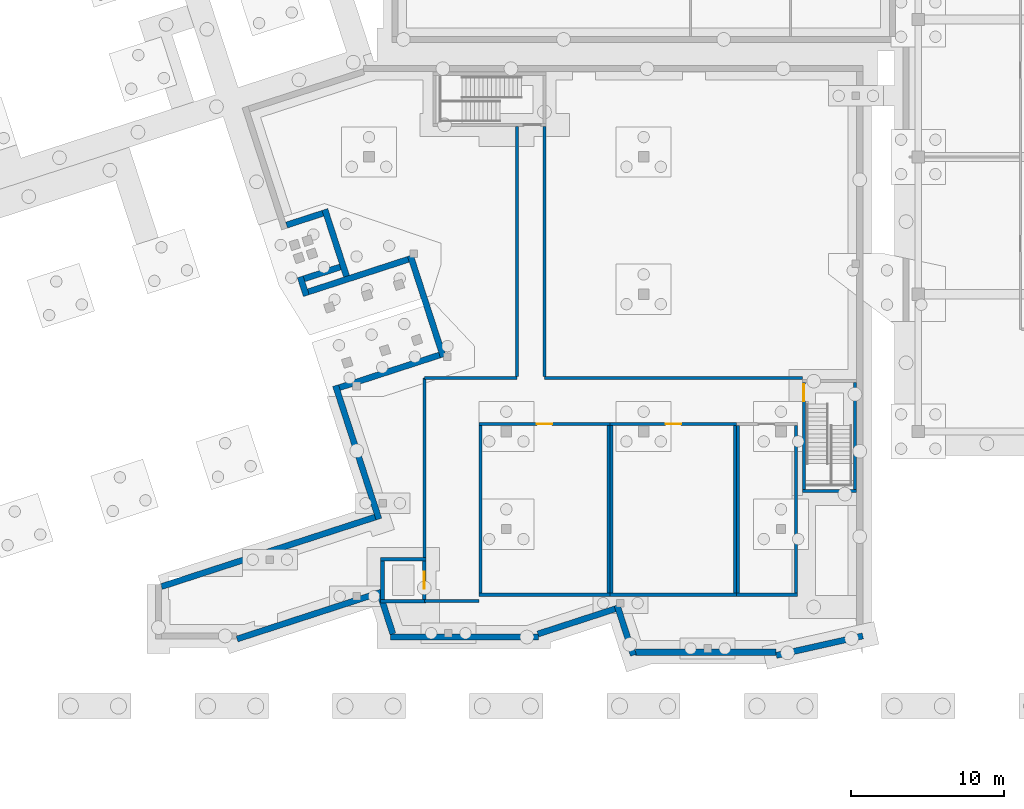
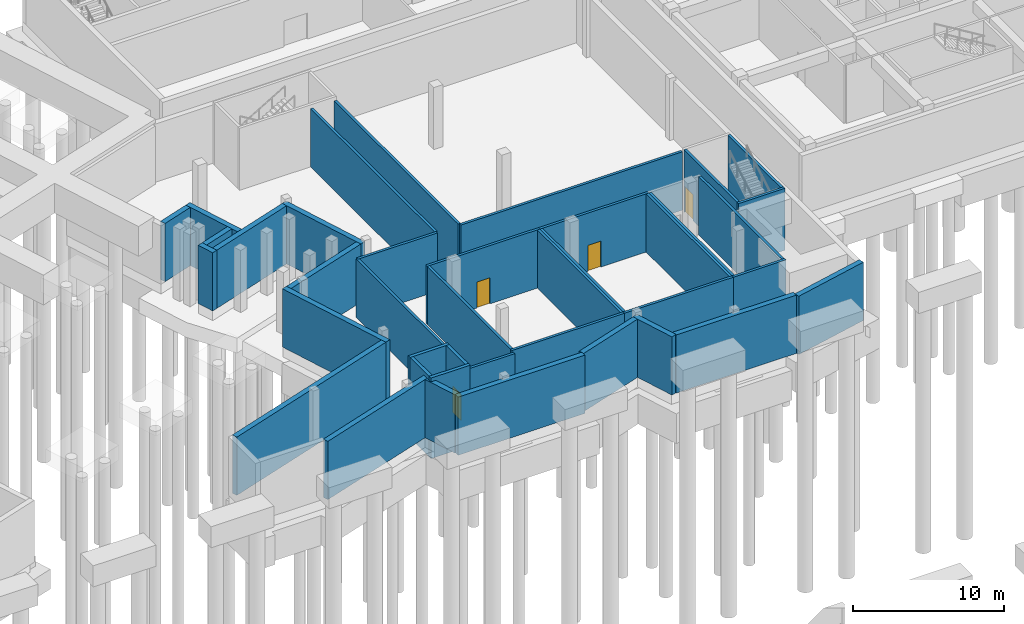
# One storey, part 8 of 17: 40 walls, 4 doors, 4 openings.
"""IFC4 building model written with IfcOpenShell, lengths in metres."""

from ifc_helpers import new_model, si_unit, direction, frame, frame_2d, origin, place, context, subcontext, project, spatial, rectangle, extrude, material, layer, layer_set, type_object, element, fill, save


model = new_model("IFC4")

# Units and contexts
model_context = context("Model", 3, precision=1e-05, world=origin(), true_north=direction((0.0, 1.0)))
body_context = subcontext(model_context, "Body", "Model", "MODEL_VIEW")
ifc_project = project(units=[si_unit("LENGTHUNIT", "METRE"), si_unit("AREAUNIT", "SQUARE_METRE"), si_unit("VOLUMEUNIT", "CUBIC_METRE"), si_unit("PLANEANGLEUNIT", "RADIAN"), si_unit("MASSUNIT", "GRAM", prefix="KILO")], contexts=[model_context])

# Site, building, storey
site_placement = place(None, origin())
site = spatial("IfcSite", under=ifc_project, at=site_placement, CompositionType="ELEMENT")
building_placement = place(site_placement, origin())
building = spatial("IfcBuilding", under=site, at=building_placement, Name="Tuart Plaza Theatre", CompositionType="ELEMENT")
storey_placement = place(building_placement, frame((0.0, 0.0, -10.0)))
storey = spatial("IfcBuildingStorey", under=building, at=storey_placement, Name="B2", CompositionType="ELEMENT", Elevation=-10.0)

# Walls
ifc_material_1 = material(Name="Masonry", Category="masonry")
ifc_layer_1 = layer(ifc_material_1, 0.199951171875)
ifc_layer_set_1 = layer_set([ifc_layer_1], Name="PARTITION BLK200 FRL 120/-/-")
wall_type_1 = type_object("IfcWallType", Name="PARTITION BLK200 FRL 120/-/-", PredefinedType="PARTITIONING", material=ifc_layer_set_1)
wall_1_placement = place(storey_placement, frame((81.64990234375, 47.75, 0.0), z_axis=(0.0, 0.0, 1.0), x_axis=(0.0, 1.0, 0.0)))
element("IfcWall", 1, at=wall_1_placement, inside=storey, type_object=wall_type_1, Name="P374", PredefinedType="PARTITIONING", context=body_context, shape_type="SweptSolid", body=[
    extrude(rectangle(XDim=11.75, YDim=0.199951171875, at=frame_2d((5.875, 0.0))), origin(), (0.0, 0.0, 1.0), 4.699951171875),
])
wall_2_placement = place(storey_placement, frame((81.64990234375, 44.89990234375, 0.0), z_axis=(0.0, 0.0, 1.0), x_axis=(1.0, 0.0, 0.0)))
element("IfcWall", 2, at=wall_2_placement, inside=storey, type_object=wall_type_1, Name="P375", PredefinedType="PARTITIONING", context=body_context, shape_type="SweptSolid", body=[
    extrude(rectangle(XDim=3.550048828125, YDim=0.199951171875, at=frame_2d((1.77490234375, 0.0))), origin(), (0.0, 0.0, 1.0), 4.699951171875),
])
wall_3_placement = place(storey_placement, frame((81.64990234375, 59.5, 0.0), z_axis=(0.0, 0.0, 1.0), x_axis=(1.0, 0.0, 0.0)))
element("IfcWall", 3, at=wall_3_placement, inside=storey, type_object=wall_type_1, Name="P376", PredefinedType="PARTITIONING", context=body_context, shape_type="SweptSolid", body=[
    extrude(rectangle(XDim=6.050048828125, YDim=0.199951171875, at=frame_2d((3.02490234375, 0.0))), origin(), (0.0, 0.0, 1.0), 4.699951171875),
])
wall_4_placement = place(storey_placement, frame((89.5, 59.5, 0.0), z_axis=(0.0, 0.0, 1.0), x_axis=(1.0, 0.0, 0.0)))
element("IfcWall", 4, at=wall_4_placement, inside=storey, type_object=wall_type_1, Name="P377", PredefinedType="PARTITIONING", context=body_context, shape_type="SweptSolid", body=[
    extrude(rectangle(XDim=16.89990234375, YDim=0.199951171875, at=frame_2d((8.449951171875, 0.0))), origin(), (0.0, 0.0, 1.0), 4.699951171875),
])
for number, where, z_axis, x_axis, name in (
    (5, (87.699951171875, 59.60009765625, 0.0), (0.0, 0.0, 1.0), (0.0, 1.0, 0.0), "P378"),
    (6, (89.5, 59.60009765625, 0.0), (0.0, 0.0, 1.0), (0.0, 1.0, 0.0), "P379"),
):
    element("IfcWall", number, at=place(storey_placement, frame(where, z_axis=z_axis, x_axis=x_axis)), inside=storey, type_object=wall_type_1, Name=name, PredefinedType="PARTITIONING", context=body_context, shape_type="SweptSolid", body=[
        extrude(rectangle(XDim=16.39990234375, YDim=0.199951171875, at=frame_2d((8.199951171875, 0.0))), origin(), (0.0, 0.0, 1.0), 4.699951171875),
    ])
ifc_material_2 = material(Name="Masonry", Category="masonry")
ifc_layer_2 = layer(ifc_material_2, 0.199951171875)
ifc_layer_set_2 = layer_set([ifc_layer_2], Name="PARTITION BLK200 FRL 120/120/120")
wall_type_2 = type_object("IfcWallType", Name="PARTITION BLK200 FRL 120/120/120", PredefinedType="PARTITIONING", material=ifc_layer_set_2)
wall_5_placement = place(storey_placement, frame((85.199951171875, 45.300048828125, 0.0), z_axis=(0.0, 0.0, 1.0), x_axis=(1.0, 0.0, 0.0)))
element("IfcWall", 7, at=wall_5_placement, inside=storey, type_object=wall_type_2, Name="P380", PredefinedType="PARTITIONING", context=body_context, shape_type="SweptSolid", body=[
    extrude(rectangle(XDim=8.60009765625, YDim=0.199951171875, at=frame_2d((4.300048828125, 0.0))), origin(), (0.0, 0.0, 1.0), 4.699951171875),
])
wall_6_placement = place(storey_placement, frame((93.699951171875, 45.39990234375, 0.0), z_axis=(0.0, 0.0, 1.0), x_axis=(0.0, 1.0, 0.0)))
element("IfcWall", 8, at=wall_6_placement, inside=storey, type_object=wall_type_2, Name="P381", PredefinedType="PARTITIONING", context=body_context, shape_type="SweptSolid", body=[
    extrude(rectangle(XDim=11.0, YDim=0.199951171875, at=frame_2d((5.5, 0.0))), origin(), (0.0, 0.0, 1.0), 4.699951171875),
])

# Wall, opening, door
wall_7_placement = place(storey_placement, frame((93.800048828125, 56.5, 0.0), z_axis=(0.0, 0.0, 1.0), x_axis=(-1.0, 0.0, 0.0)))
wall_7 = element("IfcWall", 9, at=wall_7_placement, inside=storey, type_object=wall_type_2, Name="P382", PredefinedType="PARTITIONING", context=body_context, shape_type="SweptSolid", body=[
    extrude(rectangle(XDim=8.60009765625, YDim=0.199951171875, at=frame_2d((4.300048828125, 0.0))), origin(), (0.0, 0.0, 1.0), 4.699951171875),
])
opening_1_placement = place(wall_7_placement, frame((3.800048828125, 0.0, 0.0)))
opening_1 = element("IfcOpeningElement", 10, at=opening_1_placement, cuts=wall_7, Name="Opening B2-023", PredefinedType="OPENING", context=body_context, shape_type="SweptSolid", body=[
    extrude(rectangle(XDim=1.0, YDim=2.10009765625, at=frame_2d((0.5, 1.050048828125))), frame((0.0, 0.10986328125, 0.0), z_axis=(0.0, -1.0, 0.0), x_axis=(1.0, 0.0, 0.0)), (0.0, 0.0, 1.0), 0.219970703125),
])
ifc_material_3 = material(Name="Steel Grade 300", Category="steel")
door_type_1 = type_object("IfcDoorType", Name="DOOR 1000x2100 steel single swing FRL -/120/30", OperationType="SINGLE_SWING_LEFT", PredefinedType="DOOR", material=ifc_material_3)
door_1_placement = place(opening_1_placement, origin())
door_1 = element("IfcDoor", 11, at=door_1_placement, inside=storey, type_object=door_type_1, Name="B2-023", OperationType="SINGLE_SWING_LEFT", OverallHeight=2.10009765625, OverallWidth=1.0, PredefinedType="DOOR", context=body_context, shape_type="SweptSolid", body=[
    extrude(rectangle(XDim=1.0, YDim=2.10009765625, at=frame_2d((0.5, 1.050048828125))), frame((0.0, 0.02490234375, 0.0), z_axis=(0.0, -1.0, 0.0), x_axis=(1.0, 0.0, 0.0)), (0.0, 0.0, 1.0), 0.050048828125),
])
fill(opening_1, door_1)

# Walls
wall_8_placement = place(storey_placement, frame((85.300048828125, 56.39990234375, 0.0), z_axis=(0.0, 0.0, 1.0), x_axis=(0.0, -1.0, 0.0)))
element("IfcWall", 12, at=wall_8_placement, inside=storey, type_object=wall_type_2, Name="P383", PredefinedType="PARTITIONING", context=body_context, shape_type="SweptSolid", body=[
    extrude(rectangle(XDim=11.0, YDim=0.199951171875, at=frame_2d((5.5, 0.0))), origin(), (0.0, 0.0, 1.0), 4.699951171875),
])
wall_9_placement = place(storey_placement, frame((93.800048828125, 45.300048828125, 0.0), z_axis=(0.0, 0.0, 1.0), x_axis=(1.0, 0.0, 0.0)))
element("IfcWall", 13, at=wall_9_placement, inside=storey, type_object=wall_type_2, Name="P384", PredefinedType="PARTITIONING", context=body_context, shape_type="SweptSolid", body=[
    extrude(rectangle(XDim=8.300048828125, YDim=0.199951171875, at=frame_2d((4.14990234375, 0.0))), origin(), (0.0, 0.0, 1.0), 4.699951171875),
])
wall_10_placement = place(storey_placement, frame((102.0, 45.39990234375, 0.0), z_axis=(0.0, 0.0, 1.0), x_axis=(0.0, 1.0, 0.0)))
element("IfcWall", 14, at=wall_10_placement, inside=storey, type_object=wall_type_2, Name="P385", PredefinedType="PARTITIONING", context=body_context, shape_type="SweptSolid", body=[
    extrude(rectangle(XDim=11.0, YDim=0.199951171875, at=frame_2d((5.5, 0.0))), origin(), (0.0, 0.0, 1.0), 4.699951171875),
])

# Wall, opening, door
wall_11_placement = place(storey_placement, frame((102.10009765625, 56.5, 0.0), z_axis=(0.0, 0.0, 1.0), x_axis=(-1.0, 0.0, 0.0)))
wall_11 = element("IfcWall", 15, at=wall_11_placement, inside=storey, type_object=wall_type_2, Name="P386", PredefinedType="PARTITIONING", context=body_context, shape_type="SweptSolid", body=[
    extrude(rectangle(XDim=8.300048828125, YDim=0.199951171875, at=frame_2d((4.14990234375, 0.0))), origin(), (0.0, 0.0, 1.0), 4.699951171875),
])
opening_2_placement = place(wall_11_placement, frame((3.64990234375, 0.0, 0.0)))
opening_2 = element("IfcOpeningElement", 16, at=opening_2_placement, cuts=wall_11, Name="Opening B2-024", PredefinedType="OPENING", context=body_context, shape_type="SweptSolid", body=[
    extrude(rectangle(XDim=1.0, YDim=2.10009765625, at=frame_2d((0.5, 1.050048828125))), frame((0.0, 0.10986328125, 0.0), z_axis=(0.0, -1.0, 0.0), x_axis=(1.0, 0.0, 0.0)), (0.0, 0.0, 1.0), 0.219970703125),
])
door_2_placement = place(opening_2_placement, origin())
door_2 = element("IfcDoor", 17, at=door_2_placement, inside=storey, type_object=door_type_1, Name="B2-024", OperationType="SINGLE_SWING_LEFT", OverallHeight=2.10009765625, OverallWidth=1.0, PredefinedType="DOOR", context=body_context, shape_type="SweptSolid", body=[
    extrude(rectangle(XDim=1.0, YDim=2.10009765625, at=frame_2d((0.5, 1.050048828125))), frame((0.0, 0.02490234375, 0.0), z_axis=(0.0, -1.0, 0.0), x_axis=(1.0, 0.0, 0.0)), (0.0, 0.0, 1.0), 0.050048828125),
])
fill(opening_2, door_2)

# Walls
wall_12_placement = place(storey_placement, frame((93.89990234375, 56.39990234375, 0.0), z_axis=(0.0, 0.0, 1.0), x_axis=(0.0, -1.0, 0.0)))
element("IfcWall", 18, at=wall_12_placement, inside=storey, type_object=wall_type_2, Name="P387", PredefinedType="PARTITIONING", context=body_context, shape_type="SweptSolid", body=[
    extrude(rectangle(XDim=11.0, YDim=0.199951171875, at=frame_2d((5.5, 0.0))), origin(), (0.0, 0.0, 1.0), 4.699951171875),
])
wall_13_placement = place(storey_placement, frame((102.10009765625, 45.300048828125, 0.0), z_axis=(0.0, 0.0, 1.0), x_axis=(1.0, 0.0, 0.0)))
element("IfcWall", 19, at=wall_13_placement, inside=storey, type_object=wall_type_2, Name="P388", PredefinedType="PARTITIONING", context=body_context, shape_type="SweptSolid", body=[
    extrude(rectangle(XDim=4.0, YDim=0.199951171875, at=frame_2d((2.0, 0.0))), origin(), (0.0, 0.0, 1.0), 4.699951171875),
])
for number, where, z_axis, x_axis, name in (
    (20, (106.0, 45.39990234375, 0.0), (0.0, 0.0, 1.0), (0.0, 1.0, 0.0), "P389"),
    (21, (102.199951171875, 56.39990234375, 0.0), (0.0, 0.0, 1.0), (0.0, -1.0, 0.0), "P391"),
):
    element("IfcWall", number, at=place(storey_placement, frame(where, z_axis=z_axis, x_axis=x_axis)), inside=storey, type_object=wall_type_2, Name=name, PredefinedType="PARTITIONING", context=body_context, shape_type="SweptSolid", body=[
        extrude(rectangle(XDim=11.0, YDim=0.199951171875, at=frame_2d((5.5, 0.0))), origin(), (0.0, 0.0, 1.0), 4.699951171875),
    ])
ifc_material_4 = material(Name="Concrete N40 (40 MPa)", Category="concrete")
ifc_layer_3 = layer(ifc_material_4, 0.199951171875)
ifc_layer_set_3 = layer_set([ifc_layer_3], Name="SHEAR WALL RC200 FRL 120/120/120")
wall_type_3 = type_object("IfcWallType", Name="SHEAR WALL RC200 FRL 120/120/120", PredefinedType="SHEAR", material=ifc_layer_set_3)
wall_14_placement = place(storey_placement, frame((106.39990234375, 52.10009765625, 0.0), z_axis=(0.0, 0.0, 1.0), x_axis=(1.0, 0.0, 0.0)))
element("IfcWall", 22, at=wall_14_placement, inside=storey, type_object=wall_type_3, Name="W259", PredefinedType="SHEAR", context=body_context, shape_type="SweptSolid", body=[
    extrude(rectangle(XDim=3.550048828125, YDim=0.199951171875, at=frame_2d((1.77490234375, 0.0))), origin(), (0.0, 0.0, 1.0), 5.0),
])

# Wall, opening, door
wall_15_placement = place(storey_placement, frame((106.5, 59.199951171875, 0.0), z_axis=(0.0, 0.0, 1.0), x_axis=(0.0, -1.0, 0.0)))
wall_15 = element("IfcWall", 23, at=wall_15_placement, inside=storey, type_object=wall_type_3, Name="W261", PredefinedType="SHEAR", context=body_context, shape_type="SweptSolid", body=[
    extrude(rectangle(XDim=7.0, YDim=0.199951171875, at=frame_2d((3.5, 0.0))), origin(), (0.0, 0.0, 1.0), 5.0),
])
opening_3_placement = place(wall_15_placement, frame((0.10009765625, 0.0, 0.0)))
opening_3 = element("IfcOpeningElement", 24, at=opening_3_placement, cuts=wall_15, Name="Opening B2-021", PredefinedType="OPENING", context=body_context, shape_type="SweptSolid", body=[
    extrude(rectangle(XDim=1.10009765625, YDim=2.10009765625, at=frame_2d((0.550048828125, 1.050048828125))), frame((0.0, 0.10986328125, 0.0), z_axis=(0.0, -1.0, 0.0), x_axis=(1.0, 0.0, 0.0)), (0.0, 0.0, 1.0), 0.219970703125),
])
ifc_material_5 = material(Name="Steel Grade 300", Category="steel")
door_type_2 = type_object("IfcDoorType", Name="DOOR 1100x2100 steel single swing FRL -/120/30", OperationType="SINGLE_SWING_LEFT", PredefinedType="DOOR", material=ifc_material_5)
door_3_placement = place(opening_3_placement, origin())
door_3 = element("IfcDoor", 25, at=door_3_placement, inside=storey, type_object=door_type_2, Name="B2-021", OperationType="SINGLE_SWING_RIGHT", OverallHeight=2.10009765625, OverallWidth=1.10009765625, PredefinedType="DOOR", context=body_context, shape_type="SweptSolid", body=[
    extrude(rectangle(XDim=1.10009765625, YDim=2.10009765625, at=frame_2d((0.550048828125, 1.050048828125))), frame((0.0, 0.02490234375, 0.0), z_axis=(0.0, -1.0, 0.0), x_axis=(1.0, 0.0, 0.0)), (0.0, 0.0, 1.0), 0.050048828125),
])
fill(opening_3, door_3)

# Walls
wall_16_placement = place(storey_placement, frame((109.85009765625, 52.199951171875, 0.0), z_axis=(0.0, 0.0, 1.0), x_axis=(0.0, 1.0, 0.0)))
element("IfcWall", 26, at=wall_16_placement, inside=storey, type_object=wall_type_3, Name="W262", PredefinedType="SHEAR", context=body_context, shape_type="SweptSolid", body=[
    extrude(rectangle(XDim=7.0, YDim=0.199951171875, at=frame_2d((3.5, 0.0))), origin(), (0.0, 0.0, 1.0), 5.0),
])
ifc_material_6 = material(Name="Concrete N40 (40 MPa)", Category="concrete")
ifc_layer_4 = layer(ifc_material_6, 0.25)
ifc_layer_set_4 = layer_set([ifc_layer_4], Name="SHEAR WALL RC250 FRL 120/120/120")
wall_type_4 = type_object("IfcWallType", Name="SHEAR WALL RC250 FRL 120/120/120", PredefinedType="SHEAR", material=ifc_layer_set_4)
wall_17_placement = place(storey_placement, frame((78.75, 44.875, -1.5), z_axis=(0.0, 0.0, 1.0), x_axis=(1.0, 0.0, 0.0)))
element("IfcWall", 27, at=wall_17_placement, inside=storey, type_object=wall_type_4, Name="W267", PredefinedType="SHEAR", context=body_context, shape_type="SweptSolid", body=[
    extrude(rectangle(XDim=3.0, YDim=0.25, at=frame_2d((1.5, 0.0))), origin(), (0.0, 0.0, 1.0), 6.5),
])

# Wall, opening, door
wall_18_placement = place(storey_placement, frame((81.625, 45.0, -1.5), z_axis=(0.0, 0.0, 1.0), x_axis=(0.0, 1.0, 0.0)))
wall_18 = element("IfcWall", 28, at=wall_18_placement, inside=storey, type_object=wall_type_4, Name="W268", PredefinedType="SHEAR", context=body_context, shape_type="SweptSolid", body=[
    extrude(rectangle(XDim=2.5, YDim=0.25, at=frame_2d((1.25, 0.0))), origin(), (0.0, 0.0, 1.0), 6.5),
])
opening_4_placement = place(wall_18_placement, frame((0.699951171875, 0.0, 1.5)))
opening_4 = element("IfcOpeningElement", 29, at=opening_4_placement, cuts=wall_18, Name="Opening B2-003", PredefinedType="OPENING", context=body_context, shape_type="SweptSolid", body=[
    extrude(rectangle(XDim=1.10009765625, YDim=2.10009765625, at=frame_2d((0.550048828125, 1.050048828125))), frame((0.0, 0.135009765625, 0.0), z_axis=(0.0, -1.0, 0.0), x_axis=(1.0, 0.0, 0.0)), (0.0, 0.0, 1.0), 0.27001953125),
])
ifc_material_7 = material(Name="Steel Grade 300", Category="steel")
door_type_3 = type_object("IfcDoorType", Name="LANDING DOOR 1100x2100 steel sliding FRL -/120/30", OperationType="SLIDING_TO_LEFT", PredefinedType="DOOR", material=ifc_material_7)
door_4_placement = place(opening_4_placement, origin())
door_4 = element("IfcDoor", 30, at=door_4_placement, inside=storey, type_object=door_type_3, Name="B2-003", OperationType="SLIDING_TO_LEFT", OverallHeight=2.10009765625, OverallWidth=1.10009765625, PredefinedType="DOOR", context=body_context, shape_type="SweptSolid", body=[
    extrude(rectangle(XDim=1.10009765625, YDim=2.10009765625, at=frame_2d((0.550048828125, 1.050048828125))), frame((0.0, 0.02490234375, 0.0), z_axis=(0.0, -1.0, 0.0), x_axis=(1.0, 0.0, 0.0)), (0.0, 0.0, 1.0), 0.050048828125),
])
fill(opening_4, door_4)

# Walls
wall_19_placement = place(storey_placement, frame((81.75, 47.625, -1.5), z_axis=(0.0, 0.0, 1.0), x_axis=(-1.0, 0.0, 0.0)))
element("IfcWall", 31, at=wall_19_placement, inside=storey, type_object=wall_type_4, Name="W269", PredefinedType="SHEAR", context=body_context, shape_type="SweptSolid", body=[
    extrude(rectangle(XDim=3.0, YDim=0.25, at=frame_2d((1.5, 0.0))), origin(), (0.0, 0.0, 1.0), 6.5),
])
wall_20_placement = place(storey_placement, frame((78.875, 47.5, -1.5), z_axis=(0.0, 0.0, 1.0), x_axis=(0.0, -1.0, 0.0)))
element("IfcWall", 32, at=wall_20_placement, inside=storey, type_object=wall_type_4, Name="W270", PredefinedType="SHEAR", context=body_context, shape_type="SweptSolid", body=[
    extrude(rectangle(XDim=2.5, YDim=0.25, at=frame_2d((1.25, 0.0))), origin(), (0.0, 0.0, 1.0), 6.5),
])
ifc_material_8 = material(Name="Concrete N40 (40 MPa)", Category="concrete")
ifc_layer_5 = layer(ifc_material_8, 0.39990234375)
ifc_layer_set_5 = layer_set([ifc_layer_5], Name="SHEAR WALL RC400 FRL 120/120/120 EXT")
wall_type_5 = type_object("IfcWallType", Name="SHEAR WALL RC400 FRL 120/120/120 EXT", PredefinedType="SHEAR", material=ifc_layer_set_5)
wall_21_placement = place(storey_placement, frame((110.36328125, 42.6005859375, 0.0), z_axis=(0.0, 0.0, 1.0), x_axis=(-0.975724869906, -0.218999950334, 0.0)))
element("IfcWall", 33, at=wall_21_placement, inside=storey, type_object=wall_type_5, Name="W291", PredefinedType="SHEAR", context=body_context, shape_type="SweptSolid", body=[
    extrude(rectangle(XDim=5.806884765625, YDim=0.39990234375, at=frame_2d((2.9033203125, 0.0))), origin(), (0.0, 0.0, 1.0), 4.699951171875),
])
wall_22_placement = place(storey_placement, frame((104.675048828125, 41.52880859375, 0.0), z_axis=(0.0, 0.0, 1.0), x_axis=(-1.0, 0.0, 0.0)))
element("IfcWall", 34, at=wall_22_placement, inside=storey, type_object=wall_type_5, Name="W292", PredefinedType="SHEAR", context=body_context, shape_type="SweptSolid", body=[
    extrude(rectangle(XDim=9.199462890625, YDim=0.39990234375, at=frame_2d((4.599609375, 0.0))), origin(), (0.0, 0.0, 1.0), 4.699951171875),
])
wall_23_placement = place(storey_placement, frame((95.330322265625, 41.328857421875, 0.0), z_axis=(0.0, 0.0, 1.0), x_axis=(-0.309031903466, 0.951051671908, 0.0)))
element("IfcWall", 35, at=wall_23_placement, inside=storey, type_object=wall_type_5, Name="W293", PredefinedType="SHEAR", context=body_context, shape_type="SweptSolid", body=[
    extrude(rectangle(XDim=3.465087890625, YDim=0.39990234375, at=frame_2d((1.732421875, 0.0))), origin(), (0.0, 0.0, 1.0), 4.699951171875),
])
wall_24_placement = place(storey_placement, frame((94.131103515625, 44.372314453125, 0.0), z_axis=(0.0, 0.0, 1.0), x_axis=(-0.951055646044, -0.309019672719, 0.0)))
element("IfcWall", 36, at=wall_24_placement, inside=storey, type_object=wall_type_5, Name="W294", PredefinedType="SHEAR", context=body_context, shape_type="SweptSolid", body=[
    extrude(rectangle(XDim=5.321044921875, YDim=0.39990234375, at=frame_2d((2.66064453125, 0.0))), origin(), (0.0, 0.0, 1.0), 4.699951171875),
])
wall_25_placement = place(storey_placement, frame((89.10205078125, 42.528076171875, 0.0), z_axis=(0.0, 0.0, 1.0), x_axis=(-1.0, 0.0, 0.0)))
element("IfcWall", 37, at=wall_25_placement, inside=storey, type_object=wall_type_5, Name="W295", PredefinedType="SHEAR", context=body_context, shape_type="SweptSolid", body=[
    extrude(rectangle(XDim=9.680419921875, YDim=0.39990234375, at=frame_2d((4.84033203125, 0.0))), origin(), (0.0, 0.0, 1.0), 4.699951171875),
])
wall_26_placement = place(storey_placement, frame((79.56689453125, 42.72802734375, 0.0), z_axis=(0.0, 0.0, 1.0), x_axis=(-0.309017178858, 0.951056456353, 0.0)))
element("IfcWall", 38, at=wall_26_placement, inside=storey, type_object=wall_type_5, Name="W296", PredefinedType="SHEAR", context=body_context, shape_type="SweptSolid", body=[
    extrude(rectangle(XDim=2.644287109375, YDim=0.39990234375, at=frame_2d((1.322265625, 0.0))), origin(), (0.0, 0.0, 1.0), 4.699951171875),
])
wall_27_placement = place(storey_placement, frame((78.878173828125, 45.4951171875, 0.0), z_axis=(0.0, 0.0, 1.0), x_axis=(-0.951049831214, -0.309037568181, 0.0)))
element("IfcWall", 39, at=wall_27_placement, inside=storey, type_object=wall_type_5, Name="W297", PredefinedType="SHEAR", context=body_context, shape_type="SweptSolid", body=[
    extrude(rectangle(XDim=10.015625, YDim=0.39990234375, at=frame_2d((5.0078125, 0.0))), origin(), (0.0, 0.0, 1.0), 4.699951171875),
])
wall_28_placement = place(storey_placement, frame((64.39990234375, 45.837646484375, 0.0), z_axis=(0.0, 0.0, 1.0), x_axis=(0.951057713249, 0.309013310507, 0.0)))
element("IfcWall", 40, at=wall_28_placement, inside=storey, type_object=wall_type_5, Name="W300", PredefinedType="SHEAR", context=body_context, shape_type="SweptSolid", body=[
    extrude(rectangle(XDim=14.718994140625, YDim=0.39990234375, at=frame_2d((7.359375, 0.0))), origin(), (0.0, 0.0, 1.0), 4.699951171875),
])
wall_29_placement = place(storey_placement, frame((78.650390625, 50.257568359375, 0.0), z_axis=(0.0, 0.0, 1.0), x_axis=(-0.308997864065, 0.951062731897, 0.0)))
element("IfcWall", 41, at=wall_29_placement, inside=storey, type_object=wall_type_5, Name="W301", PredefinedType="SHEAR", context=body_context, shape_type="SweptSolid", body=[
    extrude(rectangle(XDim=9.199951171875, YDim=0.39990234375, at=frame_2d((4.60009765625, 0.0))), origin(), (0.0, 0.0, 1.0), 4.699951171875),
])
wall_30_placement = place(storey_placement, frame((76.0595703125, 58.87890625, 0.0), z_axis=(0.0, 0.0, 1.0), x_axis=(0.951051488548, 0.309032467762, 0.0)))
element("IfcWall", 42, at=wall_30_placement, inside=storey, type_object=wall_type_5, Name="W302", PredefinedType="SHEAR", context=body_context, shape_type="SweptSolid", body=[
    extrude(rectangle(XDim=6.89990234375, YDim=0.39990234375, at=frame_2d((3.449951171875, 0.0))), origin(), (0.0, 0.0, 1.0), 4.699951171875),
])
wall_31_placement = place(storey_placement, frame((82.8740234375, 60.8828125, 0.0), z_axis=(0.0, 0.0, 1.0), x_axis=(-0.309041120869, 0.951048676784, 0.0)))
element("IfcWall", 43, at=wall_31_placement, inside=storey, type_object=wall_type_5, Name="W303", PredefinedType="SHEAR", context=body_context, shape_type="SweptSolid", body=[
    extrude(rectangle(XDim=7.000244140625, YDim=0.39990234375, at=frame_2d((3.5, 0.0))), origin(), (0.0, 0.0, 1.0), 4.699951171875),
])
wall_32_placement = place(storey_placement, frame((80.582275390625, 67.2880859375, 0.0), z_axis=(0.0, 0.0, 1.0), x_axis=(-0.951061887302, -0.309000463626, 0.0)))
element("IfcWall", 44, at=wall_32_placement, inside=storey, type_object=wall_type_5, Name="W304", PredefinedType="SHEAR", context=body_context, shape_type="SweptSolid", body=[
    extrude(rectangle(XDim=6.89990234375, YDim=0.39990234375, at=frame_2d((3.449951171875, 0.0))), origin(), (0.0, 0.0, 1.0), 4.699951171875),
])
wall_33_placement = place(storey_placement, frame((73.8916015625, 64.90380859375, 0.0), z_axis=(0.0, 0.0, 1.0), x_axis=(-0.308894997357, 0.951096146879, 0.0)))
element("IfcWall", 45, at=wall_33_placement, inside=storey, type_object=wall_type_5, Name="W305", PredefinedType="SHEAR", context=body_context, shape_type="SweptSolid", body=[
    extrude(rectangle(XDim=1.300048828125, YDim=0.39990234375, at=frame_2d((0.64990234375, 0.0))), origin(), (0.0, 0.0, 1.0), 4.699951171875),
])
wall_34_placement = place(storey_placement, frame((73.741943359375, 66.011962890625, 0.0), z_axis=(0.0, 0.0, 1.0), x_axis=(0.951067792613, 0.308982287281, 0.0)))
element("IfcWall", 46, at=wall_34_placement, inside=storey, type_object=wall_type_5, Name="W306", PredefinedType="SHEAR", context=body_context, shape_type="SweptSolid", body=[
    extrude(rectangle(XDim=2.5, YDim=0.39990234375, at=frame_2d((1.25, 0.0))), origin(), (0.0, 0.0, 1.0), 4.699951171875),
])
wall_35_placement = place(storey_placement, frame((76.526123046875, 66.180419921875, 0.0), z_axis=(0.0, 0.0, 1.0), x_axis=(-0.309038070164, 0.951049668098, 0.0)))
element("IfcWall", 47, at=wall_35_placement, inside=storey, type_object=wall_type_5, Name="W307", PredefinedType="SHEAR", context=body_context, shape_type="SweptSolid", body=[
    extrude(rectangle(XDim=4.60009765625, YDim=0.39990234375, at=frame_2d((2.300048828125, 0.0))), origin(), (0.0, 0.0, 1.0), 4.699951171875),
])
wall_36_placement = place(storey_placement, frame((74.97607421875, 70.30322265625, 0.0), z_axis=(0.0, 0.0, 1.0), x_axis=(-0.95105846813, -0.30901098718, 0.0)))
element("IfcWall", 48, at=wall_36_placement, inside=storey, type_object=wall_type_5, Name="W308", PredefinedType="SHEAR", context=body_context, shape_type="SweptSolid", body=[
    extrude(rectangle(XDim=2.499755859375, YDim=0.39990234375, at=frame_2d((1.25, 0.0))), origin(), (0.0, 0.0, 1.0), 4.699951171875),
])

save(model, "model.ifc")
